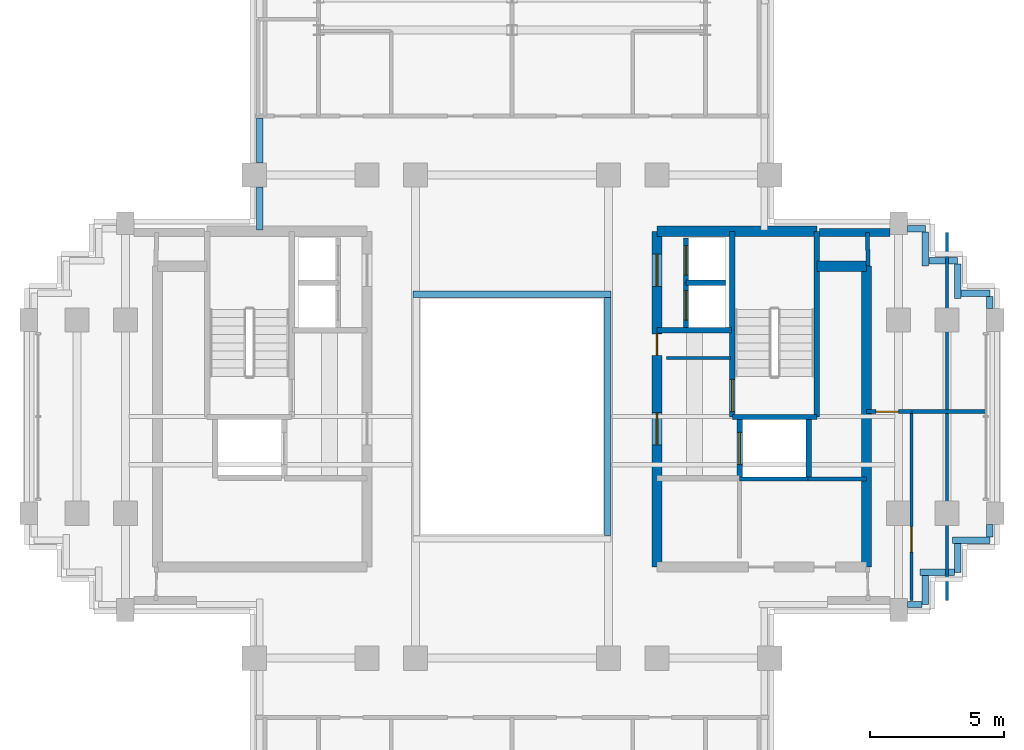
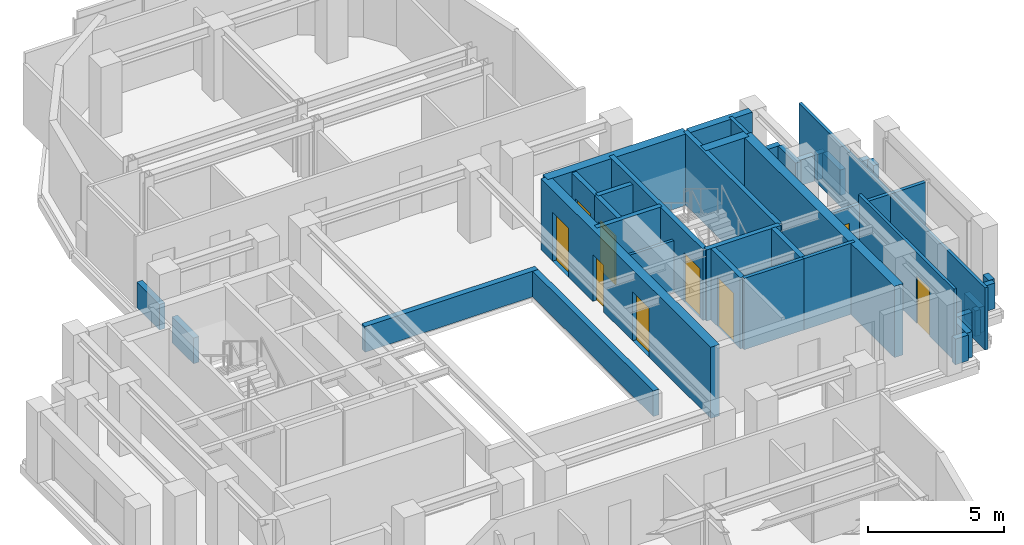
# One storey, part 7 of 11: 40 walls, 9 doors, 9 openings.
"""IFC4 building model written with IfcOpenShell, lengths in metres."""

from ifc_helpers import new_model, si_unit, direction, frame, frame_2d, origin, place, context, subcontext, project, spatial, rectangle, extrude, source, transform, mapped, material, layer, layer_set, type_object, element, fill, save


model = new_model("IFC4")

# Units and contexts
model_context = context("Model", 3, precision=1e-05, world=origin(), true_north=direction((0.0, 1.0)))
body_context = subcontext(model_context, "Body", "Model", "MODEL_VIEW")
ifc_project = project(units=[si_unit("LENGTHUNIT", "METRE"), si_unit("AREAUNIT", "SQUARE_METRE"), si_unit("VOLUMEUNIT", "CUBIC_METRE"), si_unit("PLANEANGLEUNIT", "RADIAN"), si_unit("MASSUNIT", "GRAM", prefix="KILO")], contexts=[model_context])

# Site, building, storey
site_placement = place(None, origin())
site = spatial("IfcSite", under=ifc_project, at=site_placement, CompositionType="ELEMENT")
building_placement = place(site_placement, origin())
building = spatial("IfcBuilding", under=site, at=building_placement, Name="Keilestroom Media Tower", CompositionType="ELEMENT")
storey_placement = place(building_placement, frame((0.0, 0.0, 201.199951171875)))
storey = spatial("IfcBuildingStorey", under=building, at=storey_placement, Name="L55", CompositionType="ELEMENT", Elevation=201.199951171875)

# Walls
ifc_material_1 = material(Name="Precast concrete C40/50", Category="concrete")
ifc_layer_1 = layer(ifc_material_1, 0.300048828125)
ifc_layer_set_1 = layer_set([ifc_layer_1], Name="Precast concrete C40/50")
wall_type_1 = type_object("IfcWallType", Name="Exterior-Masonry-Spandrel-Wall-300", PredefinedType="SOLIDWALL", material=ifc_layer_set_1)
wall_1_placement = place(storey_placement, frame((11.447998046875, 6.85009765625, 0.0), z_axis=(0.0, 0.0, 1.0), x_axis=(1.0, 0.0, 0.0)))
element("IfcWall", 1, at=wall_1_placement, inside=storey, type_object=wall_type_1, Name="L55 Flank Masonry Wall EWL-L55-NE-1", PredefinedType="SOLIDWALL", context=body_context, shape_type="SweptSolid", body=[
    extrude(rectangle(XDim=2.635009765625, YDim=0.300048828125, at=frame_2d((1.3173828125, 0.0))), origin(), (0.0, 0.0, 1.0), 3.199951171875),
])
ifc_material_2 = material(Name="Gypsum Plasterboard & Steel Stud", Category="steel")
ifc_layer_2 = layer(ifc_material_2, 0.1201171875)
ifc_layer_set_2 = layer_set([ifc_layer_2], Name="Gypsum Plasterboard & Steel Stud")
wall_type_2 = type_object("IfcWallType", Name="Interior-Partition-Wall-120", PredefinedType="PARTITIONING", material=ifc_layer_set_2)
wall_2_placement = place(storey_placement, frame((5.75, 2.179931640625, 0.0), z_axis=(0.0, 0.0, 1.0), x_axis=(1.0, 0.0, 0.0)))
element("IfcWall", 2, at=wall_2_placement, inside=storey, type_object=wall_type_2, Name="L55 Interior Wall WP-L55-CIE-S", PredefinedType="PARTITIONING", context=body_context, shape_type="SweptSolid", body=[
    extrude(rectangle(XDim=2.389892578125, YDim=0.1201171875, at=frame_2d((1.19482421875, 0.0))), origin(), (0.0, 0.0, 1.0), 2.300048828125),
])
wall_3_placement = place(storey_placement, frame((16.199951171875, -6.85009765625, 0.0), z_axis=(0.0, 0.0, 1.0), x_axis=(0.0, 1.0, 0.0)))
element("IfcWall", 3, at=wall_3_placement, inside=storey, type_object=wall_type_2, Name="L55 Interior Wall WP-L55-HGYM-COL", PredefinedType="PARTITIONING", context=body_context, shape_type="SweptSolid", body=[
    extrude(rectangle(XDim=13.7001953125, YDim=0.1201171875, at=frame_2d((6.85009765625, 0.0))), origin(), (0.0, 0.0, 1.0), 2.800048828125),
])

# Wall, opening, door
wall_4_placement = place(storey_placement, frame((14.8798828125, -6.85009765625, 0.0), z_axis=(0.0, 0.0, 1.0), x_axis=(0.0, 1.0, 0.0)))
wall_4 = element("IfcWall", 4, at=wall_4_placement, inside=storey, type_object=wall_type_2, Name="L55 Interior Wall WP-L55-HSKP307-W", PredefinedType="PARTITIONING", context=body_context, shape_type="SweptSolid", body=[
    extrude(rectangle(XDim=7.030029296875, YDim=0.1201171875, at=frame_2d((3.51513671875, 0.0))), origin(), (0.0, 0.0, 1.0), 3.199951171875),
])
opening_1_placement = place(wall_4_placement, frame((1.800048828125, 0.0, 0.0)))
opening_1 = element("IfcOpeningElement", 5, at=opening_1_placement, cuts=wall_4, Name="Opening DI-03", PredefinedType="OPENING", context=body_context, shape_type="SweptSolid", body=[
    extrude(rectangle(XDim=0.949951171875, YDim=2.14990234375, at=frame_2d((0.47509765625, 1.074951171875))), frame((0.0, 0.070068359375, 0.0), z_axis=(0.0, -1.0, 0.0), x_axis=(1.0, 0.0, 0.0)), (0.0, 0.0, 1.0), 0.14013671875),
])
ifc_material_3 = material(Name="Lacquered European Oak Leaf", Category="wood")
door_type_1 = type_object("IfcDoorType", Name="Interior-Room-And-Suite-Door-DI-03", OperationType="NOTDEFINED", PredefinedType="DOOR", material=ifc_material_3)
shared_shape_1 = source(origin(), body_context, "Body", "SweptSolid", [
    extrude(rectangle(XDim=0.949951171875, YDim=2.14990234375, at=frame_2d((0.47509765625, 1.074951171875))), frame((0.0, 0.02490234375, 0.0), z_axis=(0.0, -1.0, 0.0), x_axis=(1.0, 0.0, 0.0)), (0.0, 0.0, 1.0), 0.050048828125),
])
door_1_placement = place(opening_1_placement, origin())
door_1 = element("IfcDoor", 6, at=door_1_placement, inside=storey, type_object=door_type_1, Name="L55 Interior Door DI-L55-DHSKP307-L", OperationType="SINGLE_SWING_LEFT", OverallHeight=2.14990234375, OverallWidth=0.949951171875, PredefinedType="DOOR", context=body_context, shape_type="MappedRepresentation", body=[
    mapped(shared_shape_1, transform((0.0, 0.0, 0.0), x_axis=(1.0, 0.0, 0.0), y_axis=(0.0, 1.0, 0.0), z_axis=(0.0, 0.0, 1.0), scale=1.0)),
])
fill(opening_1, door_1)

# Walls
ifc_layer_3 = layer(ifc_material_2, 0.14990234375)
ifc_layer_set_3 = layer_set([ifc_layer_3], Name="Gypsum Plasterboard & Steel Stud")
wall_type_3 = type_object("IfcWallType", Name="Interior-Partition-Wall-150", PredefinedType="PARTITIONING", material=ifc_layer_set_3)
wall_5_placement = place(storey_placement, frame((11.02001953125, -2.320068359375, 0.0), z_axis=(0.0, 0.0, 1.0), x_axis=(1.0, 0.0, 0.0)))
element("IfcWall", 7, at=wall_5_placement, inside=storey, type_object=wall_type_3, Name="L55 Interior Wall WP-L55-RECLE-N", PredefinedType="PARTITIONING", context=body_context, shape_type="SweptSolid", body=[
    extrude(rectangle(XDim=2.179931640625, YDim=0.14990234375, at=frame_2d((1.08984375, 0.0))), origin(), (0.0, 0.0, 1.0), 3.199951171875),
])
wall_6_placement = place(storey_placement, frame((8.47998046875, -2.320068359375, 0.0), z_axis=(0.0, 0.0, 1.0), x_axis=(1.0, 0.0, 0.0)))
element("IfcWall", 8, at=wall_6_placement, inside=storey, type_object=wall_type_3, Name="L55 Interior Wall WP-L55-RECME-N", PredefinedType="PARTITIONING", context=body_context, shape_type="SweptSolid", body=[
    extrude(rectangle(XDim=2.56005859375, YDim=0.14990234375, at=frame_2d((1.280029296875, 0.0))), origin(), (0.0, 0.0, 1.0), 3.199951171875),
])
wall_7_placement = place(storey_placement, frame((13.260009765625, 5.60009765625, 0.0), z_axis=(0.0, 0.0, 1.0), x_axis=(-0.016013571389, 0.999871774545, 0.0)))
element("IfcWall", 9, at=wall_7_placement, inside=storey, type_object=wall_type_3, Name="L55 Interior Wall WP-L55-HGYM-ENTN", PredefinedType="PARTITIONING", context=body_context, shape_type="SweptSolid", body=[
    extrude(rectangle(XDim=1.250244140625, YDim=0.14990234375, at=frame_2d((0.625, 0.0))), origin(), (0.0, 0.0, 1.0), 3.199951171875),
])
wall_8_placement = place(storey_placement, frame((14.89990234375, 0.179931640625, 0.0), z_axis=(0.0, 0.0, 1.0), x_axis=(1.0, 0.0, 0.0)))
element("IfcWall", 10, at=wall_8_placement, inside=storey, type_object=wall_type_3, Name="L55 Interior Wall WP-L55-HGYM-M", PredefinedType="PARTITIONING", context=body_context, shape_type="SweptSolid", body=[
    extrude(rectangle(XDim=2.75, YDim=0.14990234375, at=frame_2d((1.375, 0.0))), origin(), (0.0, 0.0, 1.0), 2.800048828125),
])

# Wall, opening, door
wall_9_placement = place(storey_placement, frame((13.199951171875, 0.179931640625, 0.0), z_axis=(0.0, 0.0, 1.0), x_axis=(1.0, 0.0, 0.0)))
wall_9 = element("IfcWall", 11, at=wall_9_placement, inside=storey, type_object=wall_type_3, Name="L55 Interior Wall WP-L55-HGYM-S0", PredefinedType="PARTITIONING", context=body_context, shape_type="SweptSolid", body=[
    extrude(rectangle(XDim=1.699951171875, YDim=0.14990234375, at=frame_2d((0.85009765625, 0.0))), origin(), (0.0, 0.0, 1.0), 2.800048828125),
])
opening_2_placement = place(wall_9_placement, frame((0.35009765625, 0.0, 0.0)))
opening_2 = element("IfcOpeningElement", 12, at=opening_2_placement, cuts=wall_9, Name="Opening DI-05", PredefinedType="OPENING", context=body_context, shape_type="SweptSolid", body=[
    extrude(rectangle(XDim=0.85009765625, YDim=2.10009765625, at=frame_2d((0.425048828125, 1.050048828125))), frame((0.0, 0.0849609375, 0.0), z_axis=(0.0, -1.0, 0.0), x_axis=(1.0, 0.0, 0.0)), (0.0, 0.0, 1.0), 0.169921875),
])
ifc_material_4 = material(Name="Moisture-Resistant Oak Leaf", Category="wood")
door_type_2 = type_object("IfcDoorType", Name="Interior-En-Suite-And-Cupboard-Door-DI-05", OperationType="NOTDEFINED", PredefinedType="DOOR", material=ifc_material_4)
shared_shape_2 = source(origin(), body_context, "Body", "SweptSolid", [
    extrude(rectangle(XDim=0.85009765625, YDim=2.10009765625, at=frame_2d((0.425048828125, 1.050048828125))), frame((0.0, 0.02490234375, 0.0), z_axis=(0.0, -1.0, 0.0), x_axis=(1.0, 0.0, 0.0)), (0.0, 0.0, 1.0), 0.050048828125),
])
door_2_placement = place(opening_2_placement, origin())
door_2 = element("IfcDoor", 13, at=door_2_placement, inside=storey, type_object=door_type_2, Name="L55 Interior Door DI-L55-DGYM-E", OperationType="SINGLE_SWING_RIGHT", OverallHeight=2.10009765625, OverallWidth=0.85009765625, PredefinedType="DOOR", context=body_context, shape_type="MappedRepresentation", body=[
    mapped(shared_shape_2, transform((0.0, 0.0, 0.0), x_axis=(1.0, 0.0, 0.0), y_axis=(0.0, 1.0, 0.0), z_axis=(0.0, 0.0, 1.0), scale=1.0)),
])
fill(opening_2, door_2)

# Wall
ifc_material_5 = material(Name="Concrete C55/67", Category="concrete")
ifc_layer_4 = layer(ifc_material_5, 0.3798828125)
ifc_layer_set_4 = layer_set([ifc_layer_4], Name="Concrete C55/67")
wall_type_4 = type_object("IfcWallType", Name="Reinforced-Concrete-Core-Shear-Wall-380", PredefinedType="SHEAR", material=ifc_layer_set_4)
wall_10_placement = place(storey_placement, frame((13.199951171875, -5.60009765625, 0.0), z_axis=(0.0, 0.0, 1.0), x_axis=(0.0, 1.0, 0.0)))
element("IfcWall", 14, at=wall_10_placement, inside=storey, type_object=wall_type_4, Name="L55 Core Shear Wall WL-L55-CORE-E-OUT", PredefinedType="SHEAR", context=body_context, shape_type="SweptSolid", body=[
    extrude(rectangle(XDim=11.2001953125, YDim=0.3798828125, at=frame_2d((5.60009765625, 0.0))), origin(), (0.0, 0.0, 1.0), 3.199951171875),
])

# Wall, openings, doors
wall_11_placement = place(storey_placement, frame((5.39990234375, -5.60009765625, 0.0), z_axis=(0.0, 0.0, 1.0), x_axis=(0.0, 1.0, 0.0)))
wall_11 = element("IfcWall", 15, at=wall_11_placement, inside=storey, type_object=wall_type_4, Name="L55 Core Shear Wall WL-L55-CORE-E-IN", PredefinedType="SHEAR", context=body_context, shape_type="SweptSolid", body=[
    extrude(rectangle(XDim=12.5, YDim=0.3798828125, at=frame_2d((6.25, 0.0))), origin(), (0.0, 0.0, 1.0), 3.199951171875),
])
opening_3_placement = place(wall_11_placement, frame((4.550048828125, 0.0, 0.0)))
opening_3 = element("IfcOpeningElement", 16, at=opening_3_placement, cuts=wall_11, Name="Opening DI-02", PredefinedType="OPENING", context=body_context, shape_type="SweptSolid", body=[
    extrude(rectangle(XDim=1.199951171875, YDim=2.199951171875, at=frame_2d((0.60009765625, 1.10009765625))), frame((0.0, 0.199951171875, 0.0), z_axis=(0.0, -1.0, 0.0), x_axis=(1.0, 0.0, 0.0)), (0.0, 0.0, 1.0), 0.39990234375),
])
opening_4_placement = place(wall_11_placement, frame((10.449951171875, 0.0, 0.0)))
opening_4 = element("IfcOpeningElement", 17, at=opening_4_placement, cuts=wall_11, Name="Opening DI-02", PredefinedType="OPENING", context=body_context, shape_type="SweptSolid", body=[
    extrude(rectangle(XDim=1.199951171875, YDim=2.199951171875, at=frame_2d((0.60009765625, 1.10009765625))), frame((0.0, 0.199951171875, 0.0), z_axis=(0.0, -1.0, 0.0), x_axis=(1.0, 0.0, 0.0)), (0.0, 0.0, 1.0), 0.39990234375),
])
opening_5_placement = place(wall_11_placement, frame((7.8798828125, 0.0, 0.0)))
opening_5 = element("IfcOpeningElement", 18, at=opening_5_placement, cuts=wall_11, Name="Opening DI-06", PredefinedType="OPENING", context=body_context, shape_type="SweptSolid", body=[
    extrude(rectangle(XDim=0.800048828125, YDim=2.10009765625, at=frame_2d((0.39990234375, 1.050048828125))), frame((0.0, 0.199951171875, 0.0), z_axis=(0.0, -1.0, 0.0), x_axis=(1.0, 0.0, 0.0)), (0.0, 0.0, 1.0), 0.39990234375),
])
ifc_material_6 = material(Name="Powder-Coated Steel Fire Leaf", Category="steel")
door_type_3 = type_object("IfcDoorType", Name="Interior-Compartment-Fire-Door-DI-02", OperationType="NOTDEFINED", PredefinedType="DOOR", material=ifc_material_6)
shared_shape_3 = source(origin(), body_context, "Body", "SweptSolid", [
    extrude(rectangle(XDim=1.199951171875, YDim=2.199951171875, at=frame_2d((0.60009765625, 1.10009765625))), frame((0.0, 0.02490234375, 0.0), z_axis=(0.0, -1.0, 0.0), x_axis=(1.0, 0.0, 0.0)), (0.0, 0.0, 1.0), 0.050048828125),
])
door_3_placement = place(opening_3_placement, origin())
door_3 = element("IfcDoor", 19, at=door_3_placement, inside=storey, type_object=door_type_3, Name="L55 E Firefighting Lobby Door", OperationType="SINGLE_SWING_LEFT", OverallHeight=2.199951171875, OverallWidth=1.199951171875, PredefinedType="DOOR", context=body_context, shape_type="MappedRepresentation", body=[
    mapped(shared_shape_3, transform((0.0, 0.0, 0.0), x_axis=(1.0, 0.0, 0.0), y_axis=(0.0, 1.0, 0.0), z_axis=(0.0, 0.0, 1.0), scale=1.0)),
])
fill(opening_3, door_3)
door_4_placement = place(opening_4_placement, origin())
door_4 = element("IfcDoor", 20, at=door_4_placement, inside=storey, type_object=door_type_3, Name="L55 E High-Rise Lift Lobby Door", OperationType="SINGLE_SWING_RIGHT", OverallHeight=2.199951171875, OverallWidth=1.199951171875, PredefinedType="DOOR", context=body_context, shape_type="MappedRepresentation", body=[
    mapped(shared_shape_3, transform((0.0, 0.0, 0.0), x_axis=(1.0, 0.0, 0.0), y_axis=(0.0, 1.0, 0.0), z_axis=(0.0, 0.0, 1.0), scale=1.0)),
])
fill(opening_4, door_4)
ifc_material_7 = material(Name="Powder-Coated Steel Service Leaf", Category="steel")
door_type_4 = type_object("IfcDoorType", Name="Interior-Riser-Access-Door-DI-06", OperationType="NOTDEFINED", PredefinedType="DOOR", material=ifc_material_7)
shared_shape_4 = source(origin(), body_context, "Body", "SweptSolid", [
    extrude(rectangle(XDim=0.800048828125, YDim=2.10009765625, at=frame_2d((0.39990234375, 1.050048828125))), frame((0.0, 0.02490234375, 0.0), z_axis=(0.0, -1.0, 0.0), x_axis=(1.0, 0.0, 0.0)), (0.0, 0.0, 1.0), 0.050048828125),
])
door_5_placement = place(opening_5_placement, origin())
door_5 = element("IfcDoor", 21, at=door_5_placement, inside=storey, type_object=door_type_4, Name="L55 East Core Closet Door", OperationType="SINGLE_SWING_RIGHT", OverallHeight=2.10009765625, OverallWidth=0.800048828125, PredefinedType="DOOR", context=body_context, shape_type="MappedRepresentation", body=[
    mapped(shared_shape_4, transform((0.0, 0.0, 0.0), x_axis=(1.0, 0.0, 0.0), y_axis=(0.0, 1.0, 0.0), z_axis=(0.0, 0.0, 1.0), scale=1.0)),
])
fill(opening_5, door_5)

# Walls
wall_12_placement = place(storey_placement, frame((5.39990234375, 6.89990234375, 0.0), z_axis=(0.0, 0.0, 1.0), x_axis=(1.0, 0.0, 0.0)))
element("IfcWall", 22, at=wall_12_placement, inside=storey, type_object=wall_type_4, Name="L55 Core Shear Wall WL-L55-CORE-E-N", PredefinedType="SHEAR", context=body_context, shape_type="SweptSolid", body=[
    extrude(rectangle(XDim=5.9560546875, YDim=0.3798828125, at=frame_2d((2.97802734375, 0.0))), origin(), (0.0, 0.0, 1.0), 3.199951171875),
])
wall_13_placement = place(storey_placement, frame((11.35595703125, 5.60009765625, 0.0), z_axis=(0.0, 0.0, 1.0), x_axis=(1.0, 0.0, 0.0)))
element("IfcWall", 23, at=wall_13_placement, inside=storey, type_object=wall_type_4, Name="L55 Core Shear Wall WL-L55-CNE-N", PredefinedType="SHEAR", context=body_context, shape_type="SweptSolid", body=[
    extrude(rectangle(XDim=1.843994140625, YDim=0.3798828125, at=frame_2d((0.921875, 0.0))), origin(), (0.0, 0.0, 1.0), 3.199951171875),
])
ifc_material_8 = material(Name="Concrete C50/60", Category="concrete")
ifc_layer_5 = layer(ifc_material_8, 0.199951171875)
ifc_layer_set_5 = layer_set([ifc_layer_5], Name="Concrete C50/60")
wall_type_5 = type_object("IfcWallType", Name="Reinforced-Concrete-Shaft-Wall-200", PredefinedType="SOLIDWALL", material=ifc_layer_set_5)
wall_14_placement = place(storey_placement, frame((5.39990234375, 3.219970703125, 0.0), z_axis=(0.0, 0.0, 1.0), x_axis=(1.0, 0.0, 0.0)))
element("IfcWall", 24, at=wall_14_placement, inside=storey, type_object=wall_type_5, Name="L55 Core Shear Wall WL-L55-CORE-E-FFN", PredefinedType="SOLIDWALL", context=body_context, shape_type="SweptSolid", body=[
    extrude(rectangle(XDim=2.780029296875, YDim=0.199951171875, at=frame_2d((1.39013671875, 0.0))), origin(), (0.0, 0.0, 1.0), 3.199951171875),
])

# Wall, opening, door
wall_15_placement = place(storey_placement, frame((8.2041015625, -0.01611328125, 0.0), z_axis=(0.0, 0.0, 1.0), x_axis=(0.0, 1.0, 0.0)))
wall_15 = element("IfcWall", 25, at=wall_15_placement, inside=storey, type_object=wall_type_5, Name="L55 Core Shear Wall WL-L55-STW-E-NEAR", PredefinedType="SOLIDWALL", context=body_context, shape_type="SweptSolid", body=[
    extrude(rectangle(XDim=6.916015625, YDim=0.199951171875, at=frame_2d((3.4580078125, 0.0))), origin(), (0.0, 0.0, 1.0), 3.199951171875),
])
opening_6_placement = place(wall_15_placement, frame((0.199951171875, 0.0, 0.0)))
opening_6 = element("IfcOpeningElement", 26, at=opening_6_placement, cuts=wall_15, Name="Opening DI-01S", PredefinedType="OPENING", context=body_context, shape_type="SweptSolid", body=[
    extrude(rectangle(XDim=1.199951171875, YDim=2.199951171875, at=frame_2d((0.60009765625, 1.10009765625))), frame((0.0, 0.10986328125, 0.0), z_axis=(0.0, -1.0, 0.0), x_axis=(1.0, 0.0, 0.0)), (0.0, 0.0, 1.0), 0.219970703125),
])
door_type_5 = type_object("IfcDoorType", Name="Interior-Stair-And-Core-Fire-Door-DI-01", OperationType="NOTDEFINED", PredefinedType="DOOR", material=ifc_material_6)
door_6_placement = place(opening_6_placement, origin())
door_6 = element("IfcDoor", 27, at=door_6_placement, inside=storey, type_object=door_type_5, Name="L55 Escape Stair ST-2 Fire Door", OperationType="SINGLE_SWING_RIGHT", OverallHeight=2.199951171875, OverallWidth=1.199951171875, PredefinedType="DOOR", context=body_context, shape_type="MappedRepresentation", body=[
    mapped(shared_shape_3, transform((0.0, 0.0, 0.0), x_axis=(1.0, 0.0, 0.0), y_axis=(0.0, 1.0, 0.0), z_axis=(0.0, 0.0, 1.0), scale=1.0)),
])
fill(opening_6, door_6)

# Walls
wall_16_placement = place(storey_placement, frame((11.35595703125, -0.01611328125, 0.0), z_axis=(0.0, 0.0, 1.0), x_axis=(0.0, 1.0, 0.0)))
element("IfcWall", 28, at=wall_16_placement, inside=storey, type_object=wall_type_5, Name="L55 Core Shear Wall WL-L55-STW-E-FAR", PredefinedType="SOLIDWALL", context=body_context, shape_type="SweptSolid", body=[
    extrude(rectangle(XDim=6.916015625, YDim=0.199951171875, at=frame_2d((3.4580078125, 0.0))), origin(), (0.0, 0.0, 1.0), 3.199951171875),
])
wall_17_placement = place(storey_placement, frame((8.2041015625, -0.01611328125, 0.0), z_axis=(0.0, 0.0, 1.0), x_axis=(1.0, 0.0, 0.0)))
element("IfcWall", 29, at=wall_17_placement, inside=storey, type_object=wall_type_5, Name="L55 Core Shear Wall WL-L55-STW-E-S", PredefinedType="SOLIDWALL", context=body_context, shape_type="SweptSolid", body=[
    extrude(rectangle(XDim=3.15185546875, YDim=0.199951171875, at=frame_2d((1.575927734375, 0.0))), origin(), (0.0, 0.0, 1.0), 3.199951171875),
])

# Wall, opening, door
wall_18_placement = place(storey_placement, frame((8.47998046875, -2.280029296875, 0.0), z_axis=(0.0, 0.0, 1.0), x_axis=(0.0, 1.0, 0.0)))
wall_18 = element("IfcWall", 30, at=wall_18_placement, inside=storey, type_object=wall_type_5, Name="L55 Core Shear Wall WL-L55-LSH-FFL-2-W", PredefinedType="SOLIDWALL", context=body_context, shape_type="SweptSolid", body=[
    extrude(rectangle(XDim=2.179931640625, YDim=0.199951171875, at=frame_2d((1.08984375, 0.0))), origin(), (0.0, 0.0, 1.0), 3.199951171875),
])
opening_7_placement = place(wall_18_placement, frame((0.489990234375, 0.0, 0.0)))
opening_7 = element("IfcOpeningElement", 31, at=opening_7_placement, cuts=wall_18, Name="Opening LD-02", PredefinedType="OPENING", context=body_context, shape_type="SweptSolid", body=[
    extrude(rectangle(XDim=1.199951171875, YDim=2.199951171875, at=frame_2d((0.60009765625, 1.10009765625))), frame((0.0, 0.10986328125, 0.0), z_axis=(0.0, -1.0, 0.0), x_axis=(1.0, 0.0, 0.0)), (0.0, 0.0, 1.0), 0.219970703125),
])
ifc_material_9 = material(Name="Brushed Stainless Steel Sliding Leaf", Category="steel")
door_type_6 = type_object("IfcDoorType", Name="Lift-Landing-Sliding-Door-LD-02", OperationType="SLIDING_TO_RIGHT", PredefinedType="DOOR", material=ifc_material_9)
door_7_placement = place(opening_7_placement, origin())
door_7 = element("IfcDoor", 32, at=door_7_placement, inside=storey, type_object=door_type_6, Name="L55 Lift FFL-2 Landing Sliding Door", OperationType="SLIDING_TO_RIGHT", OverallHeight=2.199951171875, OverallWidth=1.199951171875, PredefinedType="DOOR", context=body_context, shape_type="MappedRepresentation", body=[
    mapped(shared_shape_3, transform((0.0, 0.0, 0.0), x_axis=(1.0, 0.0, 0.0), y_axis=(0.0, 1.0, 0.0), z_axis=(0.0, 0.0, 1.0), scale=1.0)),
])
fill(opening_7, door_7)

# Wall
wall_19_placement = place(storey_placement, frame((11.050048828125, -2.280029296875, 0.0), z_axis=(0.0, 0.0, 1.0), x_axis=(0.0, 1.0, 0.0)))
element("IfcWall", 33, at=wall_19_placement, inside=storey, type_object=wall_type_5, Name="L55 Core Shear Wall WL-L55-LSH-FFL-2-E", PredefinedType="SOLIDWALL", context=body_context, shape_type="SweptSolid", body=[
    extrude(rectangle(XDim=2.179931640625, YDim=0.199951171875, at=frame_2d((1.08984375, 0.0))), origin(), (0.0, 0.0, 1.0), 3.199951171875),
])

# Wall, opening, door
wall_20_placement = place(storey_placement, frame((6.47998046875, 3.300048828125, 0.0), z_axis=(0.0, 0.0, 1.0), x_axis=(0.0, 1.0, 0.0)))
wall_20 = element("IfcWall", 34, at=wall_20_placement, inside=storey, type_object=wall_type_5, Name="L55 Core Shear Wall WL-L55-LSH-PL-H3-W", PredefinedType="SOLIDWALL", context=body_context, shape_type="SweptSolid", body=[
    extrude(rectangle(XDim=1.679931640625, YDim=0.199951171875, at=frame_2d((0.83984375, 0.0))), origin(), (0.0, 0.0, 1.0), 3.199951171875),
])
opening_8_placement = place(wall_20_placement, frame((0.2900390625, 0.0, 0.0)))
opening_8 = element("IfcOpeningElement", 35, at=opening_8_placement, cuts=wall_20, Name="Opening LD-01", PredefinedType="OPENING", context=body_context, shape_type="SweptSolid", body=[
    extrude(rectangle(XDim=1.10009765625, YDim=2.199951171875, at=frame_2d((0.550048828125, 1.10009765625))), frame((0.0, 0.10986328125, 0.0), z_axis=(0.0, -1.0, 0.0), x_axis=(1.0, 0.0, 0.0)), (0.0, 0.0, 1.0), 0.219970703125),
])
door_type_7 = type_object("IfcDoorType", Name="Lift-Landing-Sliding-Door-LD-01", OperationType="SLIDING_TO_LEFT", PredefinedType="DOOR", material=ifc_material_9)
shared_shape_5 = source(origin(), body_context, "Body", "SweptSolid", [
    extrude(rectangle(XDim=1.10009765625, YDim=2.199951171875, at=frame_2d((0.550048828125, 1.10009765625))), frame((0.0, 0.02490234375, 0.0), z_axis=(0.0, -1.0, 0.0), x_axis=(1.0, 0.0, 0.0)), (0.0, 0.0, 1.0), 0.050048828125),
])
door_8_placement = place(opening_8_placement, origin())
door_8 = element("IfcDoor", 36, at=door_8_placement, inside=storey, type_object=door_type_7, Name="L55 Lift PL-H3 Landing Sliding Door", OperationType="SLIDING_TO_LEFT", OverallHeight=2.199951171875, OverallWidth=1.10009765625, PredefinedType="DOOR", context=body_context, shape_type="MappedRepresentation", body=[
    mapped(shared_shape_5, transform((0.0, 0.0, 0.0), x_axis=(1.0, 0.0, 0.0), y_axis=(0.0, 1.0, 0.0), z_axis=(0.0, 0.0, 1.0), scale=1.0)),
])
fill(opening_8, door_8)

# Wall
wall_21_placement = place(storey_placement, frame((6.47998046875, 4.97998046875, 0.0), z_axis=(0.0, 0.0, 1.0), x_axis=(1.0, 0.0, 0.0)))
element("IfcWall", 37, at=wall_21_placement, inside=storey, type_object=wall_type_5, Name="L55 Core Shear Wall WL-L55-LSH-PL-H3-N", PredefinedType="SOLIDWALL", context=body_context, shape_type="SweptSolid", body=[
    extrude(rectangle(XDim=1.469970703125, YDim=0.199951171875, at=frame_2d((0.73486328125, 0.0))), origin(), (0.0, 0.0, 1.0), 3.199951171875),
])

# Wall, opening, door
wall_22_placement = place(storey_placement, frame((6.47998046875, 4.97998046875, 0.0), z_axis=(0.0, 0.0, 1.0), x_axis=(0.0, 1.0, 0.0)))
wall_22 = element("IfcWall", 38, at=wall_22_placement, inside=storey, type_object=wall_type_5, Name="L55 Core Shear Wall WL-L55-LSH-PL-H4-W", PredefinedType="SOLIDWALL", context=body_context, shape_type="SweptSolid", body=[
    extrude(rectangle(XDim=1.669921875, YDim=0.199951171875, at=frame_2d((0.8349609375, 0.0))), origin(), (0.0, 0.0, 1.0), 3.199951171875),
])
opening_9_placement = place(wall_22_placement, frame((0.284912109375, 0.0, 0.0)))
opening_9 = element("IfcOpeningElement", 39, at=opening_9_placement, cuts=wall_22, Name="Opening LD-01", PredefinedType="OPENING", context=body_context, shape_type="SweptSolid", body=[
    extrude(rectangle(XDim=1.10009765625, YDim=2.199951171875, at=frame_2d((0.550048828125, 1.10009765625))), frame((0.0, 0.10986328125, 0.0), z_axis=(0.0, -1.0, 0.0), x_axis=(1.0, 0.0, 0.0)), (0.0, 0.0, 1.0), 0.219970703125),
])
door_9_placement = place(opening_9_placement, origin())
door_9 = element("IfcDoor", 40, at=door_9_placement, inside=storey, type_object=door_type_7, Name="L55 Lift PL-H4 Landing Sliding Door", OperationType="SLIDING_TO_LEFT", OverallHeight=2.199951171875, OverallWidth=1.10009765625, PredefinedType="DOOR", context=body_context, shape_type="MappedRepresentation", body=[
    mapped(shared_shape_5, transform((0.0, 0.0, 0.0), x_axis=(1.0, 0.0, 0.0), y_axis=(0.0, 1.0, 0.0), z_axis=(0.0, 0.0, 1.0), scale=1.0)),
])
fill(opening_9, door_9)

# Walls
ifc_layer_6 = layer(ifc_material_1, 0.239990234375)
ifc_layer_set_6 = layer_set([ifc_layer_6], Name="Precast concrete C40/50")
wall_type_6 = type_object("IfcWallType", Name="Roof-And-Terrace-Parapet-Wall-240", PredefinedType="PARAPET", material=ifc_layer_set_6)
wall_23_placement = place(storey_placement, frame((17.800048828125, -4.60009765625, 0.0), z_axis=(0.0, 0.0, 1.0), x_axis=(-1.0, 0.0, 0.0)))
element("IfcWall", 41, at=wall_23_placement, inside=storey, type_object=wall_type_6, Name="L55 Perimeter Edge Parapet Wall 01", PredefinedType="PARAPET", context=body_context, shape_type="SweptSolid", body=[
    extrude(rectangle(XDim=1.400146484375, YDim=0.239990234375, at=frame_2d((0.7001953125, 0.0))), origin(), (0.0, 0.0, 1.0), 1.150146484375),
])
wall_24_placement = place(storey_placement, frame((16.60009765625, -4.722900390625, 0.0), z_axis=(0.0, 0.0, 1.0), x_axis=(0.0, -1.0, 0.0)))
element("IfcWall", 42, at=wall_24_placement, inside=storey, type_object=wall_type_6, Name="L55 Perimeter Edge Parapet Wall 02", PredefinedType="PARAPET", context=body_context, shape_type="SweptSolid", body=[
    extrude(rectangle(XDim=1.0771484375, YDim=0.239990234375, at=frame_2d((0.53857421875, 0.0))), origin(), (0.0, 0.0, 1.0), 1.150146484375),
])
wall_25_placement = place(storey_placement, frame((16.47705078125, -5.800048828125, 0.0), z_axis=(0.0, 0.0, 1.0), x_axis=(-1.0, 0.0, 0.0)))
element("IfcWall", 43, at=wall_25_placement, inside=storey, type_object=wall_type_6, Name="L55 Perimeter Edge Parapet Wall 03", PredefinedType="PARAPET", context=body_context, shape_type="SweptSolid", body=[
    extrude(rectangle(XDim=0.214111328125, YDim=0.239990234375, at=frame_2d((0.10693359375, 0.0))), origin(), (0.0, 0.0, 1.0), 1.150146484375),
])
wall_26_placement = place(storey_placement, frame((16.136962890625, -5.800048828125, 0.0), z_axis=(0.0, 0.0, 1.0), x_axis=(-1.0, 0.0, 0.0)))
element("IfcWall", 44, at=wall_26_placement, inside=storey, type_object=wall_type_6, Name="L55 Perimeter Edge Parapet Wall 04", PredefinedType="PARAPET", context=body_context, shape_type="SweptSolid", body=[
    extrude(rectangle(XDim=0.93701171875, YDim=0.239990234375, at=frame_2d((0.468505859375, 0.0))), origin(), (0.0, 0.0, 1.0), 1.150146484375),
])
wall_27_placement = place(storey_placement, frame((15.39990234375, -5.923095703125, 0.0), z_axis=(0.0, 0.0, 1.0), x_axis=(0.0, -1.0, 0.0)))
element("IfcWall", 45, at=wall_27_placement, inside=storey, type_object=wall_type_6, Name="L55 Perimeter Edge Parapet Wall 05", PredefinedType="PARAPET", context=body_context, shape_type="SweptSolid", body=[
    extrude(rectangle(XDim=1.076904296875, YDim=0.239990234375, at=frame_2d((0.53857421875, 0.0))), origin(), (0.0, 0.0, 1.0), 1.150146484375),
])
wall_28_placement = place(storey_placement, frame((15.277099609375, -7.0, 0.0), z_axis=(0.0, 0.0, 1.0), x_axis=(-1.0, 0.0, 0.0)))
element("IfcWall", 46, at=wall_28_placement, inside=storey, type_object=wall_type_6, Name="L55 Perimeter Edge Parapet Wall 06", PredefinedType="PARAPET", context=body_context, shape_type="SweptSolid", body=[
    extrude(rectangle(XDim=0.549072265625, YDim=0.239990234375, at=frame_2d((0.2744140625, 0.0))), origin(), (0.0, 0.0, 1.0), 1.150146484375),
])
wall_29_placement = place(storey_placement, frame((-9.39990234375, 6.952880859375, 0.0), z_axis=(0.0, 0.0, 1.0), x_axis=(0.0, 1.0, 0.0)))
element("IfcWall", 47, at=wall_29_placement, inside=storey, type_object=wall_type_6, Name="L55 Perimeter Edge Parapet Wall 28", PredefinedType="PARAPET", context=body_context, shape_type="SweptSolid", body=[
    extrude(rectangle(XDim=1.59423828125, YDim=0.239990234375, at=frame_2d((0.797119140625, 0.0))), origin(), (0.0, 0.0, 1.0), 1.150146484375),
])
wall_30_placement = place(storey_placement, frame((-9.39990234375, 9.452880859375, 0.0), z_axis=(0.0, 0.0, 1.0), x_axis=(0.0, 1.0, 0.0)))
element("IfcWall", 48, at=wall_30_placement, inside=storey, type_object=wall_type_6, Name="L55 Perimeter Edge Parapet Wall 29", PredefinedType="PARAPET", context=body_context, shape_type="SweptSolid", body=[
    extrude(rectangle(XDim=1.669189453125, YDim=0.239990234375, at=frame_2d((0.83447265625, 0.0))), origin(), (0.0, 0.0, 1.0), 1.150146484375),
])
wall_31_placement = place(storey_placement, frame((14.72802734375, 7.0, 0.0), z_axis=(0.0, 0.0, 1.0), x_axis=(1.0, 0.0, 0.0)))
element("IfcWall", 49, at=wall_31_placement, inside=storey, type_object=wall_type_6, Name="L55 Perimeter Edge Parapet Wall 35", PredefinedType="PARAPET", context=body_context, shape_type="SweptSolid", body=[
    extrude(rectangle(XDim=0.671875, YDim=0.239990234375, at=frame_2d((0.3359375, 0.0))), origin(), (0.0, 0.0, 1.0), 1.150146484375),
])
wall_32_placement = place(storey_placement, frame((15.39990234375, 6.876953125, 0.0), z_axis=(0.0, 0.0, 1.0), x_axis=(0.0, -1.0, 0.0)))
element("IfcWall", 50, at=wall_32_placement, inside=storey, type_object=wall_type_6, Name="L55 Perimeter Edge Parapet Wall 36", PredefinedType="PARAPET", context=body_context, shape_type="SweptSolid", body=[
    extrude(rectangle(XDim=1.27685546875, YDim=0.239990234375, at=frame_2d((0.638427734375, 0.0))), origin(), (0.0, 0.0, 1.0), 1.150146484375),
])
wall_33_placement = place(storey_placement, frame((15.52294921875, 5.800048828125, 0.0), z_axis=(0.0, 0.0, 1.0), x_axis=(1.0, 0.0, 0.0)))
element("IfcWall", 51, at=wall_33_placement, inside=storey, type_object=wall_type_6, Name="L55 Perimeter Edge Parapet Wall 37", PredefinedType="PARAPET", context=body_context, shape_type="SweptSolid", body=[
    extrude(rectangle(XDim=0.614013671875, YDim=0.239990234375, at=frame_2d((0.30712890625, 0.0))), origin(), (0.0, 0.0, 1.0), 1.150146484375),
])
wall_34_placement = place(storey_placement, frame((16.262939453125, 5.800048828125, 0.0), z_axis=(0.0, 0.0, 1.0), x_axis=(1.0, 0.0, 0.0)))
element("IfcWall", 52, at=wall_34_placement, inside=storey, type_object=wall_type_6, Name="L55 Perimeter Edge Parapet Wall 38", PredefinedType="PARAPET", context=body_context, shape_type="SweptSolid", body=[
    extrude(rectangle(XDim=0.337158203125, YDim=0.239990234375, at=frame_2d((0.16845703125, 0.0))), origin(), (0.0, 0.0, 1.0), 1.150146484375),
])
wall_35_placement = place(storey_placement, frame((16.60009765625, 5.677001953125, 0.0), z_axis=(0.0, 0.0, 1.0), x_axis=(0.0, -1.0, 0.0)))
element("IfcWall", 53, at=wall_35_placement, inside=storey, type_object=wall_type_6, Name="L55 Perimeter Edge Parapet Wall 39", PredefinedType="PARAPET", context=body_context, shape_type="SweptSolid", body=[
    extrude(rectangle(XDim=1.277099609375, YDim=0.239990234375, at=frame_2d((0.638671875, 0.0))), origin(), (0.0, 0.0, 1.0), 1.150146484375),
])
wall_36_placement = place(storey_placement, frame((16.722900390625, 4.60009765625, 0.0), z_axis=(0.0, 0.0, 1.0), x_axis=(1.0, 0.0, 0.0)))
element("IfcWall", 54, at=wall_36_placement, inside=storey, type_object=wall_type_6, Name="L55 Perimeter Edge Parapet Wall 40", PredefinedType="PARAPET", context=body_context, shape_type="SweptSolid", body=[
    extrude(rectangle(XDim=1.0771484375, YDim=0.239990234375, at=frame_2d((0.53857421875, 0.0))), origin(), (0.0, 0.0, 1.0), 1.150146484375),
])
for number, where, z_axis, x_axis, name in (
    (55, (17.800048828125, 4.47705078125, 0.0), (0.0, 0.0, 1.0), (0.0, -1.0, 0.0), "L55 Perimeter Edge Parapet Wall 41"),
    (56, (17.800048828125, -4.028076171875, 0.0), (0.0, 0.0, 1.0), (0.0, -1.0, 0.0), "L55 Perimeter Edge Parapet Wall 42"),
):
    element("IfcWall", number, at=place(storey_placement, frame(where, z_axis=z_axis, x_axis=x_axis)), inside=storey, type_object=wall_type_6, Name=name, PredefinedType="PARAPET", context=body_context, shape_type="SweptSolid", body=[
        extrude(rectangle(XDim=0.448974609375, YDim=0.239990234375, at=frame_2d((0.224609375, 0.0))), origin(), (0.0, 0.0, 1.0), 1.150146484375),
    ])
wall_37_placement = place(storey_placement, frame((-3.679931640625, 4.56005859375, 0.0), z_axis=(0.0, 0.0, 1.0), x_axis=(1.0, 0.0, 0.0)))
element("IfcWall", 57, at=wall_37_placement, inside=storey, type_object=wall_type_6, Name="L55 Central Atrium Guard Parapet N", PredefinedType="PARAPET", context=body_context, shape_type="SweptSolid", body=[
    extrude(rectangle(XDim=7.35986328125, YDim=0.239990234375, at=frame_2d((3.679931640625, 0.0))), origin(), (0.0, 0.0, 1.0), 1.150146484375),
])
wall_38_placement = place(storey_placement, frame((3.56005859375, -4.43505859375, 0.0), z_axis=(0.0, 0.0, 1.0), x_axis=(0.0, 1.0, 0.0)))
element("IfcWall", 58, at=wall_38_placement, inside=storey, type_object=wall_type_6, Name="L55 Central Atrium Guard Parapet E", PredefinedType="PARAPET", context=body_context, shape_type="SweptSolid", body=[
    extrude(rectangle(XDim=8.8701171875, YDim=0.239990234375, at=frame_2d((4.43505859375, 0.0))), origin(), (0.0, 0.0, 1.0), 1.150146484375),
])

save(model, "model.ifc")
